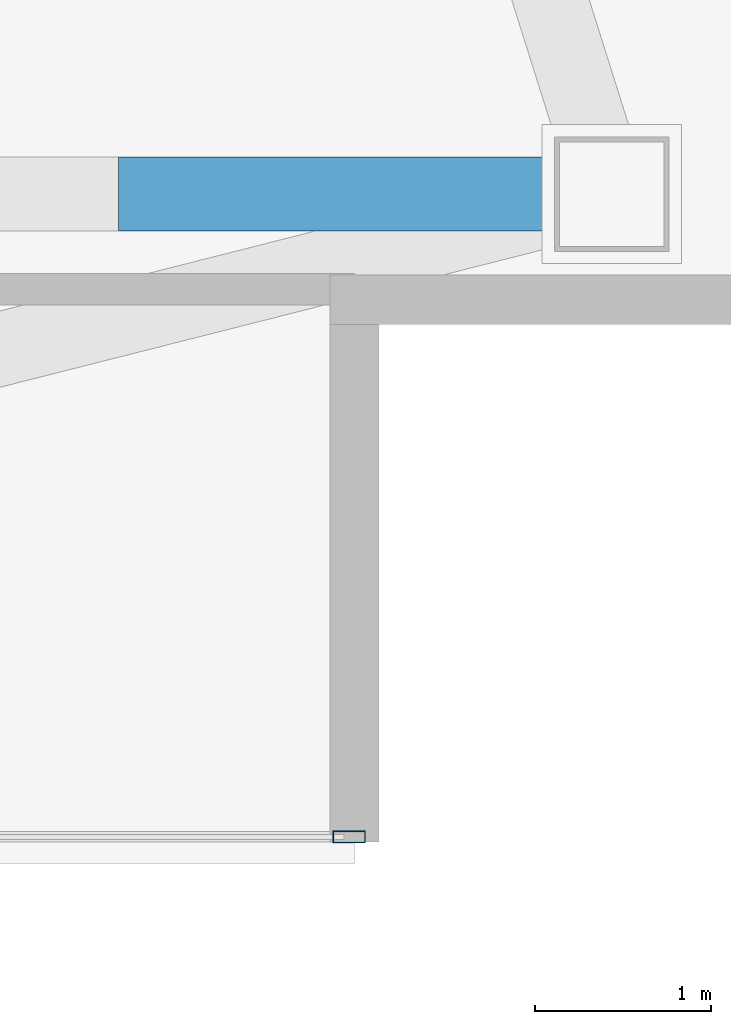
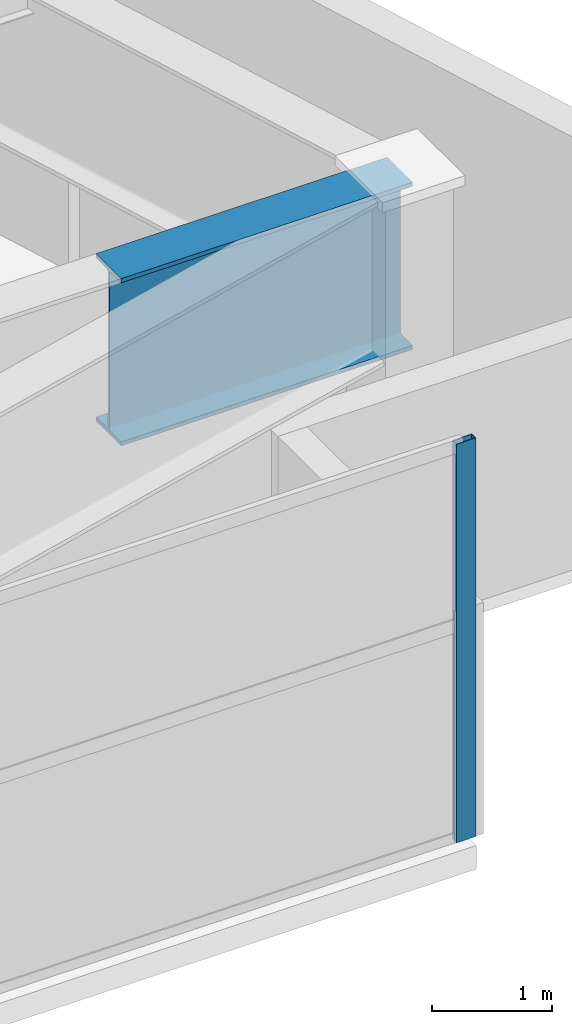
# One storey, part 14 of 29: 1 beam, 1 member, 1 element without a shape of its own.
"""IFC4 building model written with IfcOpenShell, lengths in metres."""

from ifc_helpers import new_model, si_unit, direction, frame, origin, origin_2d, place, context, subcontext, project, spatial, hollow_rectangle, i_section, extrude, material, layer, layer_set, material_profile, profile_set, type_object, element, aggregate, save


model = new_model("IFC4")

# Units and contexts
model_context = context("Model", 3, precision=1e-05, world=origin(), true_north=direction((0.0, 1.0)))
body_context = subcontext(model_context, "Body", "Model", "MODEL_VIEW")
ifc_project = project(units=[si_unit("LENGTHUNIT", "METRE"), si_unit("AREAUNIT", "SQUARE_METRE"), si_unit("VOLUMEUNIT", "CUBIC_METRE"), si_unit("PLANEANGLEUNIT", "RADIAN"), si_unit("MASSUNIT", "GRAM", prefix="KILO")], contexts=[model_context])

# Site, building, storey
site_placement = place(None, origin())
site = spatial("IfcSite", under=ifc_project, at=site_placement, CompositionType="ELEMENT")
building_placement = place(site_placement, origin())
building = spatial("IfcBuilding", under=site, at=building_placement, Name="Calvorn Quay Hotel", CompositionType="ELEMENT")
storey_placement = place(building_placement, frame((0.0, 0.0, 214.800048828125)))
storey = spatial("IfcBuildingStorey", under=building, at=storey_placement, Name="L53", CompositionType="ELEMENT", Elevation=214.800048828125)

# Beam
ifc_material_1 = material(Name="Steel Q420GJC", Category="steel")
ifc_material_profile_1 = material_profile(ifc_material_1, i_section(OverallWidth=0.419921875, OverallDepth=1.699951171875, WebThickness=0.02392578125, FlangeThickness=0.0419921875, FilletRadius=0.02392578125, at=origin_2d()), Name="HN1700x420x24x42")
ifc_profile_set_1 = profile_set([ifc_material_profile_1], Name="Steel Q420GJC")
beam_type = type_object("IfcBeamType", Name="BM-XFER-SAWTOOTH", PredefinedType="BEAM", material=ifc_profile_set_1)
beam_placement = place(storey_placement, frame((47.660888671875, 6.199951171875, 3.199951171875), z_axis=(1.0, 0.0, 0.0), x_axis=(0.0, 1.0, 0.0)))
element("IfcBeam", 1, at=beam_placement, inside=storey, type_object=beam_type, Name="Beam BTG-L53-C-ET1B", PredefinedType="BEAM", context=body_context, shape_type="SweptSolid", body=[
    extrude(i_section(OverallWidth=0.419921875, OverallDepth=1.699951171875, WebThickness=0.02392578125, FlangeThickness=0.0419921875, FilletRadius=0.02392578125, at=origin_2d()), origin(), (0.0, 0.0, 1.0), 2.800048828125),
])

# Curtain wall, member
ifc_material_2 = material(Name="Champagne Bronze Anodised Aluminium and Low-E Glass", Category="aluminium")
ifc_layer = layer(ifc_material_2, 0.219970703125)
ifc_layer_set = layer_set([ifc_layer], Name="CW-SYS-Z3")
curtain_wall_type = type_object("IfcCurtainWallType", Name="CW-SYS-Z3", PredefinedType="NOTDEFINED", material=ifc_layer_set)
curtain_wall_placement = place(storey_placement, origin())
curtain_wall = element("IfcCurtainWall", 2, at=curtain_wall_placement, inside=storey, type_object=curtain_wall_type, Name="Tower South Waterfront Curtain Wall (L53)", PredefinedType="NOTDEFINED")
ifc_material_3 = material(Name="Champagne Bronze Anodised Aluminium 6063-T6", Category="aluminium")
ifc_material_profile_2 = material_profile(ifc_material_3, hollow_rectangle(XDim=0.068115234375, YDim=0.18505859375, WallThickness=0.00390625, at=origin_2d()), Name="ALU-M185x68x4")
ifc_profile_set_2 = profile_set([ifc_material_profile_2], Name="Champagne Bronze Anodised Aluminium 6063-T6")
member_type = type_object("IfcMemberType", Name="CW-SYS-Z3-MUL", PredefinedType="MULLION", material=ifc_profile_set_2)
member_placement = place(storey_placement, frame((48.969970703125, 2.550048828125, 0.0), z_axis=(0.0, 0.0, 1.0), x_axis=(0.0, 1.0, 0.0)))
member = element("IfcMember", 3, at=member_placement, type_object=member_type, Name="CW-L53-S mullion 6", PredefinedType="MULLION", context=body_context, shape_type="SweptSolid", body=[
    extrude(hollow_rectangle(XDim=0.068115234375, YDim=0.18505859375, WallThickness=0.00390625, at=origin_2d()), origin(), (0.0, 0.0, 1.0), 4.050048828125),
])
aggregate(curtain_wall, [member])

save(model, "model.ifc")
